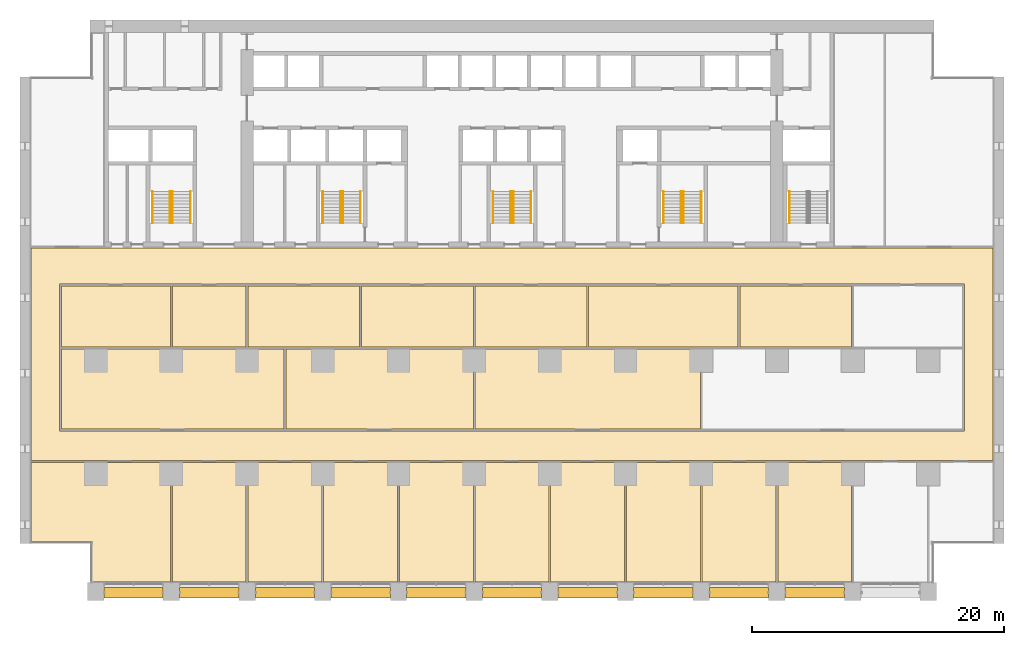
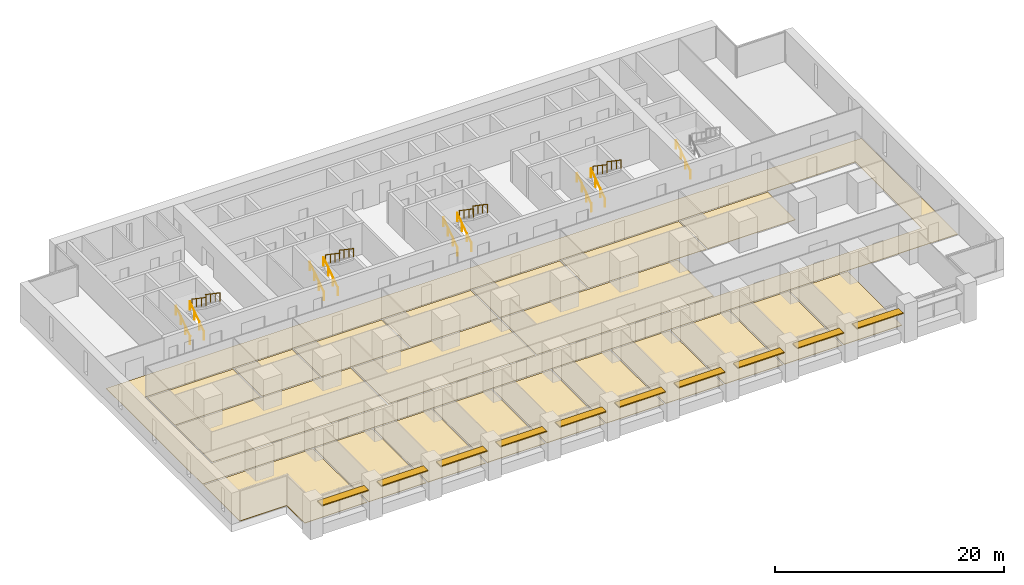
# One storey, part 17 of 18: 21 coverings, 17 railings, 10 shading devices, 5 elements without a shape of their own.
"""IFC4 building model written with IfcOpenShell, lengths in metres."""

import ifcopenshell
import ifcopenshell.guid

model = None  # the IFC model being written
_history = None  # IfcOwnerHistory: only IFC2X3 demands one
_inside = {}  # id of a spatial element -> (the spatial element, [elements in it])
_under = {}  # id of a project, library or spatial element -> (it, [spatial elements below it])
_declared = {}  # id of a project -> (the project, [libraries it declares])
_typed = {}  # id of a type object -> (the type object, [elements of that type])
_made_of = {}  # id of a material, layer set ... -> (it, [elements and type objects made of it])


def new_model(schema):
    """Start an empty IFC model of exactly this schema.

    Asked for "IFC4X3", IfcOpenShell would pick the latest addendum, in which some entities
    have other attributes; the version numbers below select the first issue.
    IFC2X3 requires an IfcOwnerHistory on every rooted entity: one is made here for all.
    """
    global model, _history
    if schema == "IFC4X3":
        model = ifcopenshell.file(schema_version=(4, 3, 0, 0))
    else:
        model = ifcopenshell.file(schema=schema)
    _inside.clear()
    _under.clear()
    _declared.clear()
    _typed.clear()
    _made_of.clear()
    _history = None
    if model.schema == "IFC2X3":
        org = make("IfcOrganization", Name="unknown")
        user = make(
            "IfcPersonAndOrganization",
            ThePerson=make("IfcPerson", FamilyName="unknown"),
            TheOrganization=org,
        )
        app = make(
            "IfcApplication",
            ApplicationDeveloper=org,
            Version="unknown",
            ApplicationFullName="unknown",
            ApplicationIdentifier="unknown",
        )
        _history = make(
            "IfcOwnerHistory",
            OwningUser=user,
            OwningApplication=app,
            ChangeAction="ADDED",
            CreationDate=0,
        )
    return model


def make(cls, **values):
    """One entity of the class cls with the attributes given. An attribute that is None is left unset."""
    return model.create_entity(
        cls, **{name: value for name, value in values.items() if value is not None}
    )


def rooted(cls, **values):
    """An entity with a GlobalId (a new one), such as an element, a storey or a relation."""
    return make(cls, GlobalId=ifcopenshell.guid.new(), OwnerHistory=_history, **values)


def si_unit(unit_type, name, prefix=None):
    """IfcSIUnit, for example si_unit("LENGTHUNIT", "METRE", prefix="MILLI")."""
    return make("IfcSIUnit", UnitType=unit_type, Prefix=prefix, Name=name)


def assignment(units):
    """IfcUnitAssignment: the units of a project."""
    return None if units is None else make("IfcUnitAssignment", Units=units)


def point(xyz):
    """IfcCartesianPoint."""
    return None if xyz is None else make("IfcCartesianPoint", Coordinates=xyz)


def direction(xyz):
    """IfcDirection."""
    return None if xyz is None else make("IfcDirection", DirectionRatios=xyz)


def frame(location, z_axis=None, x_axis=None):
    """IfcAxis2Placement3D, a coordinate frame: its origin and axes. An axis left out is left unset."""
    return make(
        "IfcAxis2Placement3D",
        Location=point(location),
        Axis=direction(z_axis),
        RefDirection=direction(x_axis),
    )


def frame_2d(location, x_axis=None):
    """IfcAxis2Placement2D, a coordinate frame in the plane: its origin and x axis."""
    return make(
        "IfcAxis2Placement2D", Location=point(location), RefDirection=direction(x_axis)
    )


def origin():
    """The frame at (0, 0, 0) with its axes left unset."""
    return frame((0.0, 0.0, 0.0))


def origin_2d():
    """The frame at (0, 0) in the plane with its x axis left unset."""
    return frame_2d((0.0, 0.0))


def place(relative_to, where):
    """IfcLocalPlacement: puts the frame where relative to a parent placement (None: the world)."""
    return make(
        "IfcLocalPlacement", PlacementRelTo=relative_to, RelativePlacement=where
    )


def context(
    kind, dimensions, precision=None, world=None, true_north=None, identifier=None
):
    """IfcGeometricRepresentationContext, for example the 3D "Model" context."""
    return make(
        "IfcGeometricRepresentationContext",
        ContextIdentifier=identifier,
        ContextType=kind,
        CoordinateSpaceDimension=dimensions,
        Precision=precision,
        WorldCoordinateSystem=world,
        TrueNorth=true_north,
    )


def subcontext(parent, identifier, kind, view, scale=None):
    """IfcGeometricRepresentationSubContext, for example "Body" below "Model"."""
    return make(
        "IfcGeometricRepresentationSubContext",
        ContextIdentifier=identifier,
        ContextType=kind,
        ParentContext=parent,
        TargetScale=scale,
        TargetView=view,
    )


def project(units=None, contexts=None):
    """IfcProject with its units and contexts."""
    return rooted(
        "IfcProject",
        Name="project",
        RepresentationContexts=contexts,
        UnitsInContext=assignment(units),
    )


def spatial(cls, under=None, at=None, **own):
    """A site, building, storey or space (cls), placed at a placement, below another one or the project."""
    s = rooted(cls, ObjectPlacement=at, **own)
    if under is not None:
        _under.setdefault(under.id(), (under, []))[1].append(s)
    return s


def polyline(points):
    """IfcPolyline through the points."""
    return make("IfcPolyline", Points=[point(p) for p in points])


def profile(cls, at=None, kind="AREA", **sizes):
    """A parametric profile (cls). Its sizes go by their IFC names, for example OverallWidth=200.0."""
    return make(cls, ProfileType=kind, Position=at, **sizes)


def rectangle(**sizes):
    """IfcRectangleProfileDef."""
    return profile("IfcRectangleProfileDef", **sizes)


def circle(**sizes):
    """IfcCircleProfileDef."""
    return profile("IfcCircleProfileDef", **sizes)


def outline(outer, holes=None, kind="AREA"):
    """IfcArbitraryClosedProfileDef: a profile drawn as a closed curve; with holes, ...WithVoids."""
    if holes is None:
        return make("IfcArbitraryClosedProfileDef", ProfileType=kind, OuterCurve=outer)
    return make(
        "IfcArbitraryProfileDefWithVoids",
        ProfileType=kind,
        OuterCurve=outer,
        InnerCurves=holes,
    )


def extrude(swept, where, along, depth):
    """IfcExtrudedAreaSolid: the profile swept, set in the frame where, extruded along a direction by depth."""
    return make(
        "IfcExtrudedAreaSolid",
        SweptArea=swept,
        Position=where,
        ExtrudedDirection=direction(along),
        Depth=depth,
    )


def shape(context_of_items, identifier, shape_type, items):
    """IfcShapeRepresentation: the items that make up one representation, for example the "Body"."""
    return make(
        "IfcShapeRepresentation",
        ContextOfItems=context_of_items,
        RepresentationIdentifier=identifier,
        RepresentationType=shape_type,
        Items=items,
    )


def material(Name=None, Category=None):
    """IfcMaterial."""
    return make("IfcMaterial", Name=Name, Category=Category)


def layer(
    of_material, thickness, ventilated=None, Name=None, Category=None, Priority=None
):
    """IfcMaterialLayer: one layer of a wall or slab, of a material (None: an air gap)."""
    return make(
        "IfcMaterialLayer",
        Material=of_material,
        LayerThickness=thickness,
        IsVentilated=ventilated,
        Name=Name,
        Category=Category,
        Priority=Priority,
    )


def layer_set(layers, Name=None):
    """IfcMaterialLayerSet."""
    return make("IfcMaterialLayerSet", MaterialLayers=layers, LayerSetName=Name)


def material_profile(
    of_material, cross_section, Name=None, Category=None, Priority=None
):
    """IfcMaterialProfile: a cross section and its material."""
    return make(
        "IfcMaterialProfile",
        Name=Name,
        Material=of_material,
        Profile=cross_section,
        Priority=Priority,
        Category=Category,
    )


def profile_set(profiles, Name=None, composite=None):
    """IfcMaterialProfileSet."""
    return make(
        "IfcMaterialProfileSet",
        Name=Name,
        MaterialProfiles=profiles,
        CompositeProfile=composite,
    )


def made_of(thing, what):
    """Note that an element or type object is made of a material, layer set ...; save() writes the relation."""
    if what is not None:
        _made_of.setdefault(what.id(), (what, []))[1].append(thing)
    return thing


def type_object(cls, material=None, **own):
    """A type object (cls), such as IfcWallType, which elements share."""
    return made_of(rooted(cls, **own), material)


def element(
    cls,
    number,
    at=None,
    inside=None,
    cuts=None,
    type_object=None,
    material=None,
    context=None,
    identifier="Body",
    shape_type=None,
    held_by="IfcProductDefinitionShape",
    body=None,
    shapes=None,
    **own,
):
    """One element of the class cls, such as IfcWall. Its Tag is "e" and its number.

    at: its placement. inside: the storey or other place that contains it. cuts: it is an
    opening in that element (IfcRelVoidsElement). A single representation is given by context,
    identifier, shape_type and body (its items); several are given by shapes. held_by: the class
    of the entity that holds the representations. save() writes the other relations.
    """
    e = rooted(cls, Tag="e%d" % number, ObjectPlacement=at, **own)
    if body is not None:
        shapes = [shape(context, identifier, shape_type, body)]
    if shapes is not None:
        e.Representation = make(held_by, Representations=shapes)
    if inside is not None:
        _inside.setdefault(inside.id(), (inside, []))[1].append(e)
    if cuts is not None:
        rooted(
            "IfcRelVoidsElement", RelatingBuildingElement=cuts, RelatedOpeningElement=e
        )
    if type_object is not None:
        _typed.setdefault(type_object.id(), (type_object, []))[1].append(e)
    return made_of(e, material)


def aggregate(whole, parts):
    """IfcRelAggregates: a whole, such as a stair, and the parts it consists of."""
    return rooted("IfcRelAggregates", RelatingObject=whole, RelatedObjects=parts)


def save(model, path):
    """Write the relations noted so far, then the file.

    IfcRelAggregates (storeys below a building ...), IfcRelContainedInSpatialStructure (elements
    in a storey), IfcRelDefinesByType, IfcRelAssociatesMaterial and IfcRelDeclares: one each for
    every whole, place, type object, material and project.
    """
    for whole, parts in _under.values():
        aggregate(whole, parts)
    for where, things in _inside.values():
        rooted(
            "IfcRelContainedInSpatialStructure",
            RelatedElements=things,
            RelatingStructure=where,
        )
    for kind, things in _typed.values():
        rooted("IfcRelDefinesByType", RelatedObjects=things, RelatingType=kind)
    for what, things in _made_of.values():
        rooted("IfcRelAssociatesMaterial", RelatedObjects=things, RelatingMaterial=what)
    for by, libraries in _declared.values():
        rooted("IfcRelDeclares", RelatingContext=by, RelatedDefinitions=libraries)
    model.write(path)


model = new_model("IFC4")

# Units and contexts
model_context = context("Model", 3, precision=1e-05, world=origin(), true_north=direction((0.0, 1.0)))
body_context = subcontext(model_context, "Body", "Model", "MODEL_VIEW")
ifc_project = project(units=[si_unit("LENGTHUNIT", "METRE"), si_unit("AREAUNIT", "SQUARE_METRE"), si_unit("VOLUMEUNIT", "CUBIC_METRE"), si_unit("PLANEANGLEUNIT", "RADIAN"), si_unit("MASSUNIT", "GRAM", prefix="KILO")], contexts=[model_context])

# Site, building, storey
site_placement = place(None, origin())
site = spatial("IfcSite", under=ifc_project, at=site_placement, CompositionType="ELEMENT")
building_placement = place(site_placement, origin())
building = spatial("IfcBuilding", under=site, at=building_placement, Name="Calvaro Tower", CompositionType="ELEMENT")
storey_placement = place(building_placement, frame((0.0, 0.0, 22.5)))
storey = spatial("IfcBuildingStorey", under=building, at=storey_placement, Name="L04", CompositionType="ELEMENT", Elevation=22.5)

# Shading devices
ifc_material_1 = material(Name="Anodised aluminium", Category="aluminium")
ifc_material_profile = material_profile(ifc_material_1, rectangle(XDim=0.800048828125, YDim=0.10009765625, at=origin_2d()), Name="Brise-soleil blade 800 x 100")
ifc_profile_set = profile_set([ifc_material_profile], Name="Anodised aluminium")
shading_device_type = type_object("IfcShadingDeviceType", Name="Brise-soleil blade 800 x 100", PredefinedType="JALOUSIE", material=ifc_profile_set)
for number, where, z_axis, x_axis, name in (
    (1, (6.64990234375, 0.60009765625, 2.300048828125), (1.0, 0.0, 0.0), (0.0, 1.0, 0.0), "Brise-soleil blade 1"),
    (2, (12.64990234375, 0.60009765625, 2.300048828125), (1.0, 0.0, 0.0), (0.0, 1.0, 0.0), "Brise-soleil blade 2"),
    (3, (18.64990234375, 0.60009765625, 2.300048828125), (1.0, 0.0, 0.0), (0.0, 1.0, 0.0), "Brise-soleil blade 3"),
    (4, (24.64990234375, 0.60009765625, 2.300048828125), (1.0, 0.0, 0.0), (0.0, 1.0, 0.0), "Brise-soleil blade 4"),
    (5, (30.64990234375, 0.60009765625, 2.300048828125), (1.0, 0.0, 0.0), (0.0, 1.0, 0.0), "Brise-soleil blade 5"),
    (6, (36.64990234375, 0.60009765625, 2.300048828125), (1.0, 0.0, 0.0), (0.0, 1.0, 0.0), "Brise-soleil blade 6"),
    (7, (42.64990234375, 0.60009765625, 2.300048828125), (1.0, 0.0, 0.0), (0.0, 1.0, 0.0), "Brise-soleil blade 7"),
    (8, (48.64990234375, 0.60009765625, 2.300048828125), (1.0, 0.0, 0.0), (0.0, 1.0, 0.0), "Brise-soleil blade 8"),
    (9, (54.64990234375, 0.60009765625, 2.300048828125), (1.0, 0.0, 0.0), (0.0, 1.0, 0.0), "Brise-soleil blade 9"),
    (10, (60.64990234375, 0.60009765625, 2.300048828125), (1.0, 0.0, 0.0), (0.0, 1.0, 0.0), "Brise-soleil blade 10"),
):
    element("IfcShadingDevice", number, at=place(storey_placement, frame(where, z_axis=z_axis, x_axis=x_axis)), inside=storey, type_object=shading_device_type, Name=name, PredefinedType="JALOUSIE", context=body_context, shape_type="SweptSolid", body=[
        extrude(rectangle(XDim=0.800048828125, YDim=0.10009765625, at=origin_2d()), origin(), (0.0, 0.0, 1.0), 4.7001953125),
    ])

# Coverings
ifc_material_2 = material(Name="Cement screed with carpet tile finish")
ifc_layer = layer(ifc_material_2, 0.050048828125)
ifc_layer_set = layer_set([ifc_layer], Name="Cement screed with carpet tile finish")
covering_type = type_object("IfcCoveringType", Name="Floor finish 50", PredefinedType="FLOORING", material=ifc_layer_set)
covering_1_placement = place(storey_placement, origin())
element("IfcCovering", 11, at=covering_1_placement, inside=storey, type_object=covering_type, Name="Floor finish 07.01", PredefinedType="FLOORING", context=body_context, shape_type="SweptSolid", body=[
    extrude(outline(polyline([(0.8701171875, 11.070068359375), (0.8701171875, 27.929931640625), (77.1298828125, 27.929931640625), (77.1298828125, 11.070068359375), (0.8701171875, 11.070068359375)]), holes=[polyline([(74.8701171875, 13.429931640625), (74.8701171875, 25.070068359375), (3.1298828125, 25.070068359375), (3.1298828125, 13.429931640625), (74.8701171875, 13.429931640625)])]), origin(), (0.0, 0.0, 1.0), 0.050048828125),
])
covering_2_placement = place(storey_placement, origin())
element("IfcCovering", 12, at=covering_2_placement, inside=storey, type_object=covering_type, Name="Floor finish 07.12", PredefinedType="FLOORING", context=body_context, shape_type="SweptSolid", body=[
    extrude(outline(polyline([(11.929931640625, 10.929931640625), (11.929931640625, 1.469970703125), (5.6201171875, 1.469970703125), (5.6201171875, 4.570068359375), (0.8701171875, 4.570068359375), (0.8701171875, 10.929931640625), (11.929931640625, 10.929931640625)])), origin(), (0.0, 0.0, 1.0), 0.050048828125),
])
covering_3_placement = place(storey_placement, origin())
element("IfcCovering", 13, at=covering_3_placement, inside=storey, type_object=covering_type, Name="Floor finish 07.02", PredefinedType="FLOORING", context=body_context, shape_type="SweptSolid", body=[
    extrude(outline(polyline([(12.070068359375, 10.929931640625), (17.929931640625, 10.929931640625), (17.929931640625, 1.469970703125), (12.070068359375, 1.469970703125), (12.070068359375, 10.929931640625)])), origin(), (0.0, 0.0, 1.0), 0.050048828125),
])
covering_4_placement = place(storey_placement, origin())
element("IfcCovering", 14, at=covering_4_placement, inside=storey, type_object=covering_type, Name="Floor finish 07.03", PredefinedType="FLOORING", context=body_context, shape_type="SweptSolid", body=[
    extrude(outline(polyline([(18.070068359375, 10.929931640625), (23.929931640625, 10.929931640625), (23.929931640625, 1.469970703125), (18.070068359375, 1.469970703125), (18.070068359375, 10.929931640625)])), origin(), (0.0, 0.0, 1.0), 0.050048828125),
])
covering_5_placement = place(storey_placement, origin())
element("IfcCovering", 15, at=covering_5_placement, inside=storey, type_object=covering_type, Name="Floor finish 07.04", PredefinedType="FLOORING", context=body_context, shape_type="SweptSolid", body=[
    extrude(outline(polyline([(24.070068359375, 10.929931640625), (29.929931640625, 10.929931640625), (29.929931640625, 1.469970703125), (24.070068359375, 1.469970703125), (24.070068359375, 10.929931640625)])), origin(), (0.0, 0.0, 1.0), 0.050048828125),
])
covering_6_placement = place(storey_placement, origin())
element("IfcCovering", 16, at=covering_6_placement, inside=storey, type_object=covering_type, Name="Floor finish 07.05", PredefinedType="FLOORING", context=body_context, shape_type="SweptSolid", body=[
    extrude(outline(polyline([(30.070068359375, 10.929931640625), (35.929931640625, 10.929931640625), (35.929931640625, 1.469970703125), (30.070068359375, 1.469970703125), (30.070068359375, 10.929931640625)])), origin(), (0.0, 0.0, 1.0), 0.050048828125),
])
covering_7_placement = place(storey_placement, origin())
element("IfcCovering", 17, at=covering_7_placement, inside=storey, type_object=covering_type, Name="Floor finish 07.06", PredefinedType="FLOORING", context=body_context, shape_type="SweptSolid", body=[
    extrude(outline(polyline([(36.070068359375, 10.929931640625), (41.929931640625, 10.929931640625), (41.929931640625, 1.469970703125), (36.070068359375, 1.469970703125), (36.070068359375, 10.929931640625)])), origin(), (0.0, 0.0, 1.0), 0.050048828125),
])
covering_8_placement = place(storey_placement, origin())
element("IfcCovering", 18, at=covering_8_placement, inside=storey, type_object=covering_type, Name="Floor finish 07.07", PredefinedType="FLOORING", context=body_context, shape_type="SweptSolid", body=[
    extrude(outline(polyline([(42.070068359375, 10.929931640625), (47.929931640625, 10.929931640625), (47.929931640625, 1.469970703125), (42.070068359375, 1.469970703125), (42.070068359375, 10.929931640625)])), origin(), (0.0, 0.0, 1.0), 0.050048828125),
])
covering_9_placement = place(storey_placement, origin())
element("IfcCovering", 19, at=covering_9_placement, inside=storey, type_object=covering_type, Name="Floor finish 07.08", PredefinedType="FLOORING", context=body_context, shape_type="SweptSolid", body=[
    extrude(outline(polyline([(48.070068359375, 10.929931640625), (53.929931640625, 10.929931640625), (53.929931640625, 1.469970703125), (48.070068359375, 1.469970703125), (48.070068359375, 10.929931640625)])), origin(), (0.0, 0.0, 1.0), 0.050048828125),
])
covering_10_placement = place(storey_placement, origin())
element("IfcCovering", 20, at=covering_10_placement, inside=storey, type_object=covering_type, Name="Floor finish 07.09", PredefinedType="FLOORING", context=body_context, shape_type="SweptSolid", body=[
    extrude(outline(polyline([(54.070068359375, 10.929931640625), (59.929931640625, 10.929931640625), (59.929931640625, 1.469970703125), (54.070068359375, 1.469970703125), (54.070068359375, 10.929931640625)])), origin(), (0.0, 0.0, 1.0), 0.050048828125),
])
covering_11_placement = place(storey_placement, origin())
element("IfcCovering", 21, at=covering_11_placement, inside=storey, type_object=covering_type, Name="Floor finish 07.10", PredefinedType="FLOORING", context=body_context, shape_type="SweptSolid", body=[
    extrude(outline(polyline([(60.070068359375, 10.929931640625), (65.929931640625, 10.929931640625), (65.929931640625, 1.469970703125), (60.070068359375, 1.469970703125), (60.070068359375, 10.929931640625)])), origin(), (0.0, 0.0, 1.0), 0.050048828125),
])
covering_12_placement = place(storey_placement, origin())
element("IfcCovering", 22, at=covering_12_placement, inside=storey, type_object=covering_type, Name="Floor finish 07.14", PredefinedType="FLOORING", context=body_context, shape_type="SweptSolid", body=[
    extrude(outline(polyline([(3.27001953125, 13.570068359375), (3.27001953125, 19.929931640625), (20.929931640625, 19.929931640625), (20.929931640625, 13.570068359375), (3.27001953125, 13.570068359375)])), origin(), (0.0, 0.0, 1.0), 0.050048828125),
])
covering_13_placement = place(storey_placement, origin())
element("IfcCovering", 23, at=covering_13_placement, inside=storey, type_object=covering_type, Name="Floor finish 07.15", PredefinedType="FLOORING", context=body_context, shape_type="SweptSolid", body=[
    extrude(outline(polyline([(21.070068359375, 13.570068359375), (21.070068359375, 19.929931640625), (35.929931640625, 19.929931640625), (35.929931640625, 13.570068359375), (21.070068359375, 13.570068359375)])), origin(), (0.0, 0.0, 1.0), 0.050048828125),
])
covering_14_placement = place(storey_placement, origin())
element("IfcCovering", 24, at=covering_14_placement, inside=storey, type_object=covering_type, Name="Floor finish 07.16", PredefinedType="FLOORING", context=body_context, shape_type="SweptSolid", body=[
    extrude(outline(polyline([(36.070068359375, 13.570068359375), (36.070068359375, 19.929931640625), (53.929931640625, 19.929931640625), (53.929931640625, 13.570068359375), (36.070068359375, 13.570068359375)])), origin(), (0.0, 0.0, 1.0), 0.050048828125),
])
covering_15_placement = place(storey_placement, origin())
element("IfcCovering", 25, at=covering_15_placement, inside=storey, type_object=covering_type, Name="Floor finish 07.18", PredefinedType="FLOORING", context=body_context, shape_type="SweptSolid", body=[
    extrude(outline(polyline([(3.27001953125, 20.070068359375), (3.27001953125, 24.929931640625), (11.929931640625, 24.929931640625), (11.929931640625, 20.070068359375), (3.27001953125, 20.070068359375)])), origin(), (0.0, 0.0, 1.0), 0.050048828125),
])
covering_16_placement = place(storey_placement, origin())
element("IfcCovering", 26, at=covering_16_placement, inside=storey, type_object=covering_type, Name="Floor finish 07.19", PredefinedType="FLOORING", context=body_context, shape_type="SweptSolid", body=[
    extrude(outline(polyline([(12.070068359375, 20.070068359375), (12.070068359375, 24.929931640625), (17.929931640625, 24.929931640625), (17.929931640625, 20.070068359375), (12.070068359375, 20.070068359375)])), origin(), (0.0, 0.0, 1.0), 0.050048828125),
])
covering_17_placement = place(storey_placement, origin())
element("IfcCovering", 27, at=covering_17_placement, inside=storey, type_object=covering_type, Name="Floor finish 07.20", PredefinedType="FLOORING", context=body_context, shape_type="SweptSolid", body=[
    extrude(outline(polyline([(18.070068359375, 20.070068359375), (18.070068359375, 24.929931640625), (26.929931640625, 24.929931640625), (26.929931640625, 20.070068359375), (18.070068359375, 20.070068359375)])), origin(), (0.0, 0.0, 1.0), 0.050048828125),
])
covering_18_placement = place(storey_placement, origin())
element("IfcCovering", 28, at=covering_18_placement, inside=storey, type_object=covering_type, Name="Floor finish 07.21", PredefinedType="FLOORING", context=body_context, shape_type="SweptSolid", body=[
    extrude(outline(polyline([(27.070068359375, 20.070068359375), (27.070068359375, 24.929931640625), (35.929931640625, 24.929931640625), (35.929931640625, 20.070068359375), (27.070068359375, 20.070068359375)])), origin(), (0.0, 0.0, 1.0), 0.050048828125),
])
covering_19_placement = place(storey_placement, origin())
element("IfcCovering", 29, at=covering_19_placement, inside=storey, type_object=covering_type, Name="Floor finish 07.22", PredefinedType="FLOORING", context=body_context, shape_type="SweptSolid", body=[
    extrude(outline(polyline([(36.070068359375, 20.070068359375), (36.070068359375, 24.929931640625), (44.929931640625, 24.929931640625), (44.929931640625, 20.070068359375), (36.070068359375, 20.070068359375)])), origin(), (0.0, 0.0, 1.0), 0.050048828125),
])
covering_20_placement = place(storey_placement, origin())
element("IfcCovering", 30, at=covering_20_placement, inside=storey, type_object=covering_type, Name="Floor finish 07.23", PredefinedType="FLOORING", context=body_context, shape_type="SweptSolid", body=[
    extrude(outline(polyline([(45.070068359375, 20.070068359375), (45.070068359375, 24.929931640625), (56.929931640625, 24.929931640625), (56.929931640625, 20.070068359375), (45.070068359375, 20.070068359375)])), origin(), (0.0, 0.0, 1.0), 0.050048828125),
])
covering_21_placement = place(storey_placement, origin())
element("IfcCovering", 31, at=covering_21_placement, inside=storey, type_object=covering_type, Name="Floor finish 07.24", PredefinedType="FLOORING", context=body_context, shape_type="SweptSolid", body=[
    extrude(outline(polyline([(57.070068359375, 20.070068359375), (57.070068359375, 24.929931640625), (65.929931640625, 24.929931640625), (65.929931640625, 20.070068359375), (57.070068359375, 20.070068359375)])), origin(), (0.0, 0.0, 1.0), 0.050048828125),
])

# Stair, railings
ifc_material_3 = material(Name="Concrete C40/50", Category="concrete")
stair_type = type_object("IfcStairType", Name="Exit stair 1400 2 flights", PredefinedType="HALF_TURN_STAIR", material=ifc_material_3)
stair_1_placement = place(storey_placement, origin())
stair_1 = element("IfcStair", 32, at=stair_1_placement, inside=storey, type_object=stair_type, Name="Exit stair S1", PredefinedType="HALF_TURN_STAIR")
ifc_material_4 = material(Name="Stainless steel", Category="steel")
railing_type = type_object("IfcRailingType", Name="Stair handrail", PredefinedType="HANDRAIL", material=ifc_material_4)
railing_1_placement = place(storey_placement, frame((11.89990234375, 29.89990234375, 0.17041015625)))
railing_1 = element("IfcRailing", 33, at=railing_1_placement, type_object=railing_type, Name="Exit stair 1 handrail", PredefinedType="HANDRAIL", context=body_context, shape_type="SweptSolid", body=[
    extrude(circle(Radius=0.02392578125, at=origin_2d()), frame((0.0, 0.0, 0.8759765625), z_axis=(0.0, 0.826220514629, 0.563346839174), x_axis=(-1.0, 0.0, 0.0)), (0.0, 0.0, 1.0), 3.02587890625),
    extrude(circle(Radius=0.02099609375, at=origin_2d()), frame((0.0, 0.017333984375, 0.01171875)), (0.0, 0.0, 1.0), 0.851806640625),
    extrude(circle(Radius=0.02099609375, at=origin_2d()), frame((0.0, 0.833251953125, 0.568115234375)), (0.0, 0.0, 1.0), 0.851806640625),
    extrude(circle(Radius=0.02099609375, at=origin_2d()), frame((0.0, 1.666748046875, 1.136474609375)), (0.0, 0.0, 1.0), 0.851806640625),
    extrude(circle(Radius=0.02099609375, at=origin_2d()), frame((0.0, 2.482666015625, 1.69287109375)), (0.0, 0.0, 1.0), 0.851806640625),
])
railing_2_placement = place(storey_placement, frame((10.5, 29.89990234375, 0.17041015625)))
railing_2 = element("IfcRailing", 34, at=railing_2_placement, type_object=railing_type, Name="Exit stair 1 handrail", PredefinedType="HANDRAIL", context=body_context, shape_type="SweptSolid", body=[
    extrude(circle(Radius=0.02392578125, at=origin_2d()), frame((0.0, 0.0, 0.8759765625), z_axis=(0.0, 0.826220514629, 0.563346839174), x_axis=(-1.0, 0.0, 0.0)), (0.0, 0.0, 1.0), 3.02587890625),
    extrude(circle(Radius=0.02099609375, at=origin_2d()), frame((0.0, 0.017333984375, 0.01171875)), (0.0, 0.0, 1.0), 0.851806640625),
    extrude(circle(Radius=0.02099609375, at=origin_2d()), frame((0.0, 0.833251953125, 0.568115234375)), (0.0, 0.0, 1.0), 0.851806640625),
    extrude(circle(Radius=0.02099609375, at=origin_2d()), frame((0.0, 1.666748046875, 1.136474609375)), (0.0, 0.0, 1.0), 0.851806640625),
    extrude(circle(Radius=0.02099609375, at=origin_2d()), frame((0.0, 2.482666015625, 1.69287109375)), (0.0, 0.0, 1.0), 0.851806640625),
])
railing_3_placement = place(storey_placement, frame((12.10009765625, 32.39990234375, 2.04541015625)))
railing_3 = element("IfcRailing", 35, at=railing_3_placement, type_object=railing_type, Name="Exit stair 1 handrail", PredefinedType="HANDRAIL", context=body_context, shape_type="SweptSolid", body=[
    extrude(circle(Radius=0.02392578125, at=origin_2d()), frame((0.0, 0.0, 0.8759765625), z_axis=(0.0, -0.826220514629, 0.563346839174), x_axis=(1.0, 0.0, 0.0)), (0.0, 0.0, 1.0), 3.02587890625),
    extrude(circle(Radius=0.02099609375, at=origin_2d()), frame((0.0, -0.017333984375, 0.01171875)), (0.0, 0.0, 1.0), 0.851806640625),
    extrude(circle(Radius=0.02099609375, at=origin_2d()), frame((0.0, -0.833251953125, 0.568115234375)), (0.0, 0.0, 1.0), 0.851806640625),
    extrude(circle(Radius=0.02099609375, at=origin_2d()), frame((0.0, -1.666748046875, 1.136474609375)), (0.0, 0.0, 1.0), 0.851806640625),
    extrude(circle(Radius=0.02099609375, at=origin_2d()), frame((0.0, -2.482666015625, 1.69287109375)), (0.0, 0.0, 1.0), 0.851806640625),
])
railing_4_placement = place(storey_placement, frame((13.5, 32.39990234375, 2.04541015625)))
railing_4 = element("IfcRailing", 36, at=railing_4_placement, type_object=railing_type, Name="Exit stair 1 handrail", PredefinedType="HANDRAIL", context=body_context, shape_type="SweptSolid", body=[
    extrude(circle(Radius=0.02392578125, at=origin_2d()), frame((0.0, 0.0, 0.8759765625), z_axis=(0.0, -0.826220514629, 0.563346839174), x_axis=(1.0, 0.0, 0.0)), (0.0, 0.0, 1.0), 3.02587890625),
    extrude(circle(Radius=0.02099609375, at=origin_2d()), frame((0.0, -0.017333984375, 0.01171875)), (0.0, 0.0, 1.0), 0.851806640625),
    extrude(circle(Radius=0.02099609375, at=origin_2d()), frame((0.0, -0.833251953125, 0.568115234375)), (0.0, 0.0, 1.0), 0.851806640625),
    extrude(circle(Radius=0.02099609375, at=origin_2d()), frame((0.0, -1.666748046875, 1.136474609375)), (0.0, 0.0, 1.0), 0.851806640625),
    extrude(circle(Radius=0.02099609375, at=origin_2d()), frame((0.0, -2.482666015625, 1.69287109375)), (0.0, 0.0, 1.0), 0.851806640625),
])
aggregate(stair_1, [railing_1, railing_2, railing_3, railing_4])

stair_2_placement = place(storey_placement, origin())
stair_2 = element("IfcStair", 37, at=stair_2_placement, inside=storey, type_object=stair_type, Name="Exit stair S2", PredefinedType="HALF_TURN_STAIR")
railing_5_placement = place(storey_placement, frame((25.39990234375, 29.89990234375, 0.17041015625)))
railing_5 = element("IfcRailing", 38, at=railing_5_placement, type_object=railing_type, Name="Exit stair 2 handrail", PredefinedType="HANDRAIL", context=body_context, shape_type="SweptSolid", body=[
    extrude(circle(Radius=0.02392578125, at=origin_2d()), frame((0.0, 0.0, 0.8759765625), z_axis=(0.0, 0.826220514629, 0.563346839174), x_axis=(-1.0, 0.0, 0.0)), (0.0, 0.0, 1.0), 3.02587890625),
    extrude(circle(Radius=0.02099609375, at=origin_2d()), frame((0.0, 0.017333984375, 0.01171875)), (0.0, 0.0, 1.0), 0.851806640625),
    extrude(circle(Radius=0.02099609375, at=origin_2d()), frame((0.0, 0.833251953125, 0.568115234375)), (0.0, 0.0, 1.0), 0.851806640625),
    extrude(circle(Radius=0.02099609375, at=origin_2d()), frame((0.0, 1.666748046875, 1.136474609375)), (0.0, 0.0, 1.0), 0.851806640625),
    extrude(circle(Radius=0.02099609375, at=origin_2d()), frame((0.0, 2.482666015625, 1.69287109375)), (0.0, 0.0, 1.0), 0.851806640625),
])
railing_6_placement = place(storey_placement, frame((24.0, 29.89990234375, 0.17041015625)))
railing_6 = element("IfcRailing", 39, at=railing_6_placement, type_object=railing_type, Name="Exit stair 2 handrail", PredefinedType="HANDRAIL", context=body_context, shape_type="SweptSolid", body=[
    extrude(circle(Radius=0.02392578125, at=origin_2d()), frame((0.0, 0.0, 0.8759765625), z_axis=(0.0, 0.826220514629, 0.563346839174), x_axis=(-1.0, 0.0, 0.0)), (0.0, 0.0, 1.0), 3.02587890625),
    extrude(circle(Radius=0.02099609375, at=origin_2d()), frame((0.0, 0.017333984375, 0.01171875)), (0.0, 0.0, 1.0), 0.851806640625),
    extrude(circle(Radius=0.02099609375, at=origin_2d()), frame((0.0, 0.833251953125, 0.568115234375)), (0.0, 0.0, 1.0), 0.851806640625),
    extrude(circle(Radius=0.02099609375, at=origin_2d()), frame((0.0, 1.666748046875, 1.136474609375)), (0.0, 0.0, 1.0), 0.851806640625),
    extrude(circle(Radius=0.02099609375, at=origin_2d()), frame((0.0, 2.482666015625, 1.69287109375)), (0.0, 0.0, 1.0), 0.851806640625),
])
railing_7_placement = place(storey_placement, frame((25.60009765625, 32.39990234375, 2.04541015625)))
railing_7 = element("IfcRailing", 40, at=railing_7_placement, type_object=railing_type, Name="Exit stair 2 handrail", PredefinedType="HANDRAIL", context=body_context, shape_type="SweptSolid", body=[
    extrude(circle(Radius=0.02392578125, at=origin_2d()), frame((0.0, 0.0, 0.8759765625), z_axis=(0.0, -0.826220514629, 0.563346839174), x_axis=(1.0, 0.0, 0.0)), (0.0, 0.0, 1.0), 3.02587890625),
    extrude(circle(Radius=0.02099609375, at=origin_2d()), frame((0.0, -0.017333984375, 0.01171875)), (0.0, 0.0, 1.0), 0.851806640625),
    extrude(circle(Radius=0.02099609375, at=origin_2d()), frame((0.0, -0.833251953125, 0.568115234375)), (0.0, 0.0, 1.0), 0.851806640625),
    extrude(circle(Radius=0.02099609375, at=origin_2d()), frame((0.0, -1.666748046875, 1.136474609375)), (0.0, 0.0, 1.0), 0.851806640625),
    extrude(circle(Radius=0.02099609375, at=origin_2d()), frame((0.0, -2.482666015625, 1.69287109375)), (0.0, 0.0, 1.0), 0.851806640625),
])
railing_8_placement = place(storey_placement, frame((27.0, 32.39990234375, 2.04541015625)))
railing_8 = element("IfcRailing", 41, at=railing_8_placement, type_object=railing_type, Name="Exit stair 2 handrail", PredefinedType="HANDRAIL", context=body_context, shape_type="SweptSolid", body=[
    extrude(circle(Radius=0.02392578125, at=origin_2d()), frame((0.0, 0.0, 0.8759765625), z_axis=(0.0, -0.826220514629, 0.563346839174), x_axis=(1.0, 0.0, 0.0)), (0.0, 0.0, 1.0), 3.02587890625),
    extrude(circle(Radius=0.02099609375, at=origin_2d()), frame((0.0, -0.017333984375, 0.01171875)), (0.0, 0.0, 1.0), 0.851806640625),
    extrude(circle(Radius=0.02099609375, at=origin_2d()), frame((0.0, -0.833251953125, 0.568115234375)), (0.0, 0.0, 1.0), 0.851806640625),
    extrude(circle(Radius=0.02099609375, at=origin_2d()), frame((0.0, -1.666748046875, 1.136474609375)), (0.0, 0.0, 1.0), 0.851806640625),
    extrude(circle(Radius=0.02099609375, at=origin_2d()), frame((0.0, -2.482666015625, 1.69287109375)), (0.0, 0.0, 1.0), 0.851806640625),
])
aggregate(stair_2, [railing_5, railing_6, railing_7, railing_8])

stair_3_placement = place(storey_placement, origin())
stair_3 = element("IfcStair", 42, at=stair_3_placement, inside=storey, type_object=stair_type, Name="Exit stair S3", PredefinedType="HALF_TURN_STAIR")
railing_9_placement = place(storey_placement, frame((38.89990234375, 29.89990234375, 0.17041015625)))
railing_9 = element("IfcRailing", 43, at=railing_9_placement, type_object=railing_type, Name="Exit stair 3 handrail", PredefinedType="HANDRAIL", context=body_context, shape_type="SweptSolid", body=[
    extrude(circle(Radius=0.02392578125, at=origin_2d()), frame((0.0, 0.0, 0.8759765625), z_axis=(0.0, 0.826220514629, 0.563346839174), x_axis=(-1.0, 0.0, 0.0)), (0.0, 0.0, 1.0), 3.02587890625),
    extrude(circle(Radius=0.02099609375, at=origin_2d()), frame((0.0, 0.017333984375, 0.01171875)), (0.0, 0.0, 1.0), 0.851806640625),
    extrude(circle(Radius=0.02099609375, at=origin_2d()), frame((0.0, 0.833251953125, 0.568115234375)), (0.0, 0.0, 1.0), 0.851806640625),
    extrude(circle(Radius=0.02099609375, at=origin_2d()), frame((0.0, 1.666748046875, 1.136474609375)), (0.0, 0.0, 1.0), 0.851806640625),
    extrude(circle(Radius=0.02099609375, at=origin_2d()), frame((0.0, 2.482666015625, 1.69287109375)), (0.0, 0.0, 1.0), 0.851806640625),
])
railing_10_placement = place(storey_placement, frame((37.5, 29.89990234375, 0.17041015625)))
railing_10 = element("IfcRailing", 44, at=railing_10_placement, type_object=railing_type, Name="Exit stair 3 handrail", PredefinedType="HANDRAIL", context=body_context, shape_type="SweptSolid", body=[
    extrude(circle(Radius=0.02392578125, at=origin_2d()), frame((0.0, 0.0, 0.8759765625), z_axis=(0.0, 0.826220514629, 0.563346839174), x_axis=(-1.0, 0.0, 0.0)), (0.0, 0.0, 1.0), 3.02587890625),
    extrude(circle(Radius=0.02099609375, at=origin_2d()), frame((0.0, 0.017333984375, 0.01171875)), (0.0, 0.0, 1.0), 0.851806640625),
    extrude(circle(Radius=0.02099609375, at=origin_2d()), frame((0.0, 0.833251953125, 0.568115234375)), (0.0, 0.0, 1.0), 0.851806640625),
    extrude(circle(Radius=0.02099609375, at=origin_2d()), frame((0.0, 1.666748046875, 1.136474609375)), (0.0, 0.0, 1.0), 0.851806640625),
    extrude(circle(Radius=0.02099609375, at=origin_2d()), frame((0.0, 2.482666015625, 1.69287109375)), (0.0, 0.0, 1.0), 0.851806640625),
])
railing_11_placement = place(storey_placement, frame((39.10009765625, 32.39990234375, 2.04541015625)))
railing_11 = element("IfcRailing", 45, at=railing_11_placement, type_object=railing_type, Name="Exit stair 3 handrail", PredefinedType="HANDRAIL", context=body_context, shape_type="SweptSolid", body=[
    extrude(circle(Radius=0.02392578125, at=origin_2d()), frame((0.0, 0.0, 0.8759765625), z_axis=(0.0, -0.826220514629, 0.563346839174), x_axis=(1.0, 0.0, 0.0)), (0.0, 0.0, 1.0), 3.02587890625),
    extrude(circle(Radius=0.02099609375, at=origin_2d()), frame((0.0, -0.017333984375, 0.01171875)), (0.0, 0.0, 1.0), 0.851806640625),
    extrude(circle(Radius=0.02099609375, at=origin_2d()), frame((0.0, -0.833251953125, 0.568115234375)), (0.0, 0.0, 1.0), 0.851806640625),
    extrude(circle(Radius=0.02099609375, at=origin_2d()), frame((0.0, -1.666748046875, 1.136474609375)), (0.0, 0.0, 1.0), 0.851806640625),
    extrude(circle(Radius=0.02099609375, at=origin_2d()), frame((0.0, -2.482666015625, 1.69287109375)), (0.0, 0.0, 1.0), 0.851806640625),
])
railing_12_placement = place(storey_placement, frame((40.5, 32.39990234375, 2.04541015625)))
railing_12 = element("IfcRailing", 46, at=railing_12_placement, type_object=railing_type, Name="Exit stair 3 handrail", PredefinedType="HANDRAIL", context=body_context, shape_type="SweptSolid", body=[
    extrude(circle(Radius=0.02392578125, at=origin_2d()), frame((0.0, 0.0, 0.8759765625), z_axis=(0.0, -0.826220514629, 0.563346839174), x_axis=(1.0, 0.0, 0.0)), (0.0, 0.0, 1.0), 3.02587890625),
    extrude(circle(Radius=0.02099609375, at=origin_2d()), frame((0.0, -0.017333984375, 0.01171875)), (0.0, 0.0, 1.0), 0.851806640625),
    extrude(circle(Radius=0.02099609375, at=origin_2d()), frame((0.0, -0.833251953125, 0.568115234375)), (0.0, 0.0, 1.0), 0.851806640625),
    extrude(circle(Radius=0.02099609375, at=origin_2d()), frame((0.0, -1.666748046875, 1.136474609375)), (0.0, 0.0, 1.0), 0.851806640625),
    extrude(circle(Radius=0.02099609375, at=origin_2d()), frame((0.0, -2.482666015625, 1.69287109375)), (0.0, 0.0, 1.0), 0.851806640625),
])
aggregate(stair_3, [railing_9, railing_10, railing_11, railing_12])

stair_4_placement = place(storey_placement, origin())
stair_4 = element("IfcStair", 47, at=stair_4_placement, inside=storey, type_object=stair_type, Name="Exit stair S4", PredefinedType="HALF_TURN_STAIR")
railing_13_placement = place(storey_placement, frame((52.39990234375, 29.89990234375, 0.17041015625)))
railing_13 = element("IfcRailing", 48, at=railing_13_placement, type_object=railing_type, Name="Exit stair 4 handrail", PredefinedType="HANDRAIL", context=body_context, shape_type="SweptSolid", body=[
    extrude(circle(Radius=0.02392578125, at=origin_2d()), frame((0.0, 0.0, 0.8759765625), z_axis=(0.0, 0.826220514629, 0.563346839174), x_axis=(-1.0, 0.0, 0.0)), (0.0, 0.0, 1.0), 3.02587890625),
    extrude(circle(Radius=0.02099609375, at=origin_2d()), frame((0.0, 0.017333984375, 0.01171875)), (0.0, 0.0, 1.0), 0.851806640625),
    extrude(circle(Radius=0.02099609375, at=origin_2d()), frame((0.0, 0.833251953125, 0.568115234375)), (0.0, 0.0, 1.0), 0.851806640625),
    extrude(circle(Radius=0.02099609375, at=origin_2d()), frame((0.0, 1.666748046875, 1.136474609375)), (0.0, 0.0, 1.0), 0.851806640625),
    extrude(circle(Radius=0.02099609375, at=origin_2d()), frame((0.0, 2.482666015625, 1.69287109375)), (0.0, 0.0, 1.0), 0.851806640625),
])
railing_14_placement = place(storey_placement, frame((51.0, 29.89990234375, 0.17041015625)))
railing_14 = element("IfcRailing", 49, at=railing_14_placement, type_object=railing_type, Name="Exit stair 4 handrail", PredefinedType="HANDRAIL", context=body_context, shape_type="SweptSolid", body=[
    extrude(circle(Radius=0.02392578125, at=origin_2d()), frame((0.0, 0.0, 0.8759765625), z_axis=(0.0, 0.826220514629, 0.563346839174), x_axis=(-1.0, 0.0, 0.0)), (0.0, 0.0, 1.0), 3.02587890625),
    extrude(circle(Radius=0.02099609375, at=origin_2d()), frame((0.0, 0.017333984375, 0.01171875)), (0.0, 0.0, 1.0), 0.851806640625),
    extrude(circle(Radius=0.02099609375, at=origin_2d()), frame((0.0, 0.833251953125, 0.568115234375)), (0.0, 0.0, 1.0), 0.851806640625),
    extrude(circle(Radius=0.02099609375, at=origin_2d()), frame((0.0, 1.666748046875, 1.136474609375)), (0.0, 0.0, 1.0), 0.851806640625),
    extrude(circle(Radius=0.02099609375, at=origin_2d()), frame((0.0, 2.482666015625, 1.69287109375)), (0.0, 0.0, 1.0), 0.851806640625),
])
railing_15_placement = place(storey_placement, frame((52.60009765625, 32.39990234375, 2.04541015625)))
railing_15 = element("IfcRailing", 50, at=railing_15_placement, type_object=railing_type, Name="Exit stair 4 handrail", PredefinedType="HANDRAIL", context=body_context, shape_type="SweptSolid", body=[
    extrude(circle(Radius=0.02392578125, at=origin_2d()), frame((0.0, 0.0, 0.8759765625), z_axis=(0.0, -0.826220514629, 0.563346839174), x_axis=(1.0, 0.0, 0.0)), (0.0, 0.0, 1.0), 3.02587890625),
    extrude(circle(Radius=0.02099609375, at=origin_2d()), frame((0.0, -0.017333984375, 0.01171875)), (0.0, 0.0, 1.0), 0.851806640625),
    extrude(circle(Radius=0.02099609375, at=origin_2d()), frame((0.0, -0.833251953125, 0.568115234375)), (0.0, 0.0, 1.0), 0.851806640625),
    extrude(circle(Radius=0.02099609375, at=origin_2d()), frame((0.0, -1.666748046875, 1.136474609375)), (0.0, 0.0, 1.0), 0.851806640625),
    extrude(circle(Radius=0.02099609375, at=origin_2d()), frame((0.0, -2.482666015625, 1.69287109375)), (0.0, 0.0, 1.0), 0.851806640625),
])
railing_16_placement = place(storey_placement, frame((54.0, 32.39990234375, 2.04541015625)))
railing_16 = element("IfcRailing", 51, at=railing_16_placement, type_object=railing_type, Name="Exit stair 4 handrail", PredefinedType="HANDRAIL", context=body_context, shape_type="SweptSolid", body=[
    extrude(circle(Radius=0.02392578125, at=origin_2d()), frame((0.0, 0.0, 0.8759765625), z_axis=(0.0, -0.826220514629, 0.563346839174), x_axis=(1.0, 0.0, 0.0)), (0.0, 0.0, 1.0), 3.02587890625),
    extrude(circle(Radius=0.02099609375, at=origin_2d()), frame((0.0, -0.017333984375, 0.01171875)), (0.0, 0.0, 1.0), 0.851806640625),
    extrude(circle(Radius=0.02099609375, at=origin_2d()), frame((0.0, -0.833251953125, 0.568115234375)), (0.0, 0.0, 1.0), 0.851806640625),
    extrude(circle(Radius=0.02099609375, at=origin_2d()), frame((0.0, -1.666748046875, 1.136474609375)), (0.0, 0.0, 1.0), 0.851806640625),
    extrude(circle(Radius=0.02099609375, at=origin_2d()), frame((0.0, -2.482666015625, 1.69287109375)), (0.0, 0.0, 1.0), 0.851806640625),
])
aggregate(stair_4, [railing_13, railing_14, railing_15, railing_16])

# Stair, railing
stair_5_placement = place(storey_placement, origin())
stair_5 = element("IfcStair", 52, at=stair_5_placement, inside=storey, type_object=stair_type, Name="Exit stair S5", PredefinedType="HALF_TURN_STAIR")
railing_17_placement = place(storey_placement, frame((61.0, 29.89990234375, 0.17041015625)))
railing_17 = element("IfcRailing", 53, at=railing_17_placement, type_object=railing_type, Name="Exit stair 5 handrail", PredefinedType="HANDRAIL", context=body_context, shape_type="SweptSolid", body=[
    extrude(circle(Radius=0.02392578125, at=origin_2d()), frame((0.0, 0.0, 0.8759765625), z_axis=(0.0, 0.826220514629, 0.563346839174), x_axis=(-1.0, 0.0, 0.0)), (0.0, 0.0, 1.0), 3.02587890625),
    extrude(circle(Radius=0.02099609375, at=origin_2d()), frame((0.0, 0.017333984375, 0.01171875)), (0.0, 0.0, 1.0), 0.851806640625),
    extrude(circle(Radius=0.02099609375, at=origin_2d()), frame((0.0, 0.833251953125, 0.568115234375)), (0.0, 0.0, 1.0), 0.851806640625),
    extrude(circle(Radius=0.02099609375, at=origin_2d()), frame((0.0, 1.666748046875, 1.136474609375)), (0.0, 0.0, 1.0), 0.851806640625),
    extrude(circle(Radius=0.02099609375, at=origin_2d()), frame((0.0, 2.482666015625, 1.69287109375)), (0.0, 0.0, 1.0), 0.851806640625),
])
aggregate(stair_5, [railing_17])

save(model, "model.ifc")
